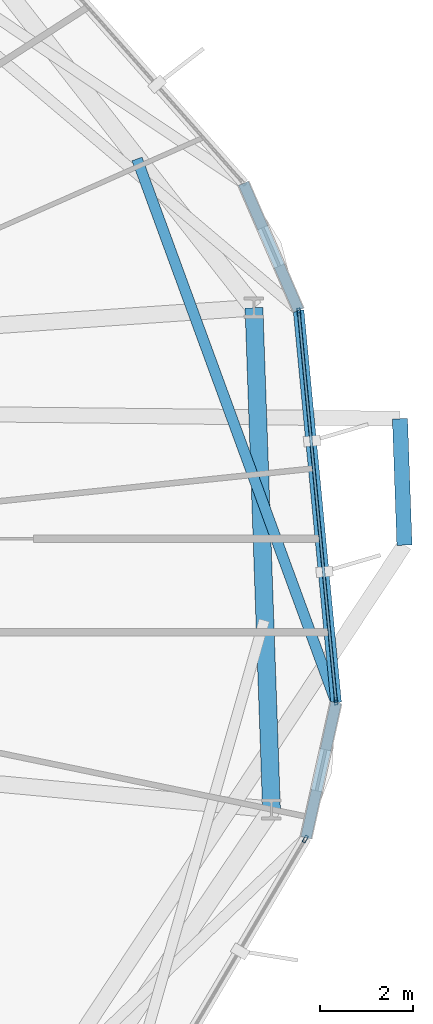
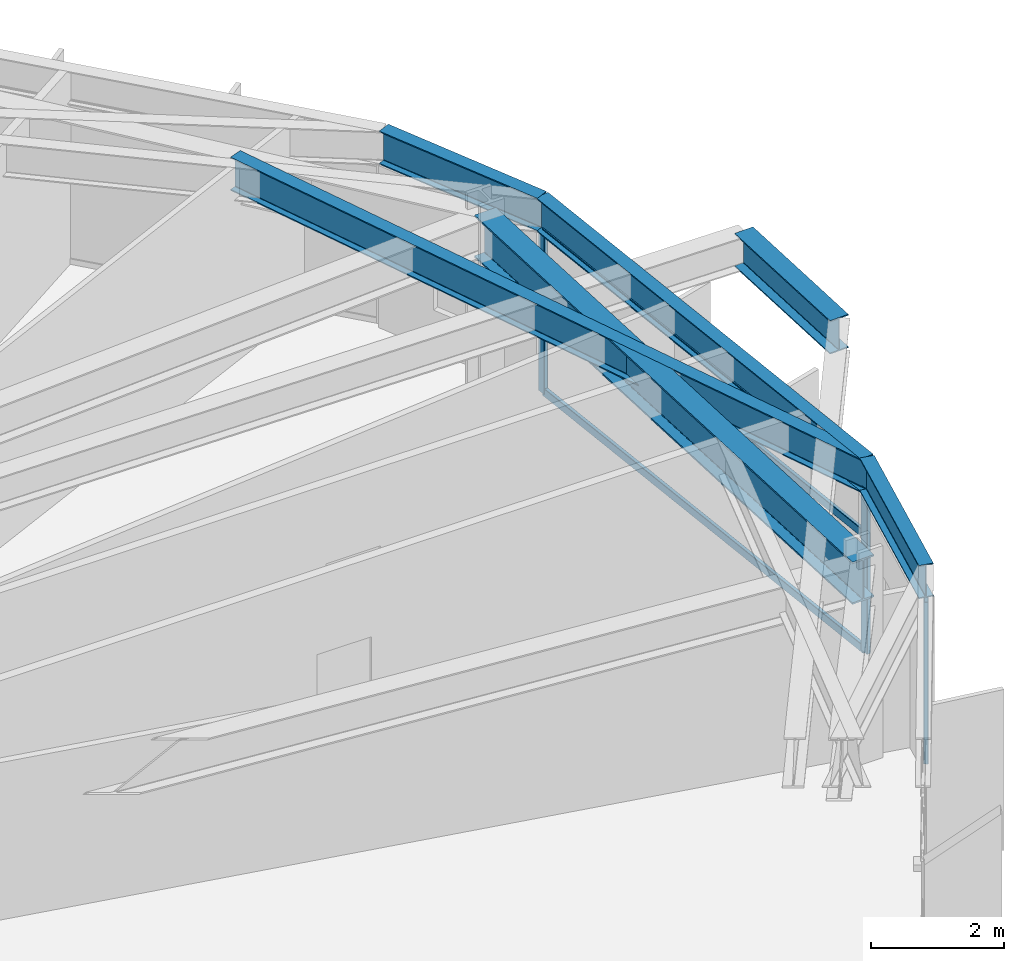
# One storey, part 12 of 23: 6 beams, 6 members, 2 elements without a shape of their own.
"""IFC4 building model written with IfcOpenShell, lengths in metres."""

from ifc_helpers import new_model, si_unit, direction, frame, origin, origin_2d, place, context, subcontext, project, spatial, hollow_rectangle, i_section, extrude, material, layer, layer_set, material_profile, profile_set, type_object, element, aggregate, save


model = new_model("IFC4")

# Units and contexts
model_context = context("Model", 3, precision=1e-05, world=origin(), true_north=direction((0.0, 1.0)))
body_context = subcontext(model_context, "Body", "Model", "MODEL_VIEW")
ifc_project = project(units=[si_unit("LENGTHUNIT", "METRE"), si_unit("AREAUNIT", "SQUARE_METRE"), si_unit("VOLUMEUNIT", "CUBIC_METRE"), si_unit("PLANEANGLEUNIT", "RADIAN"), si_unit("MASSUNIT", "GRAM", prefix="KILO")], contexts=[model_context])

# Site, building, storey
site_placement = place(None, origin())
site = spatial("IfcSite", under=ifc_project, at=site_placement, CompositionType="ELEMENT")
building_placement = place(site_placement, origin())
building = spatial("IfcBuilding", under=site, at=building_placement, Name="Soratama Intermodal Tower", CompositionType="ELEMENT")
storey_placement = place(building_placement, frame((0.0, 0.0, 118.60009765625)))
storey = spatial("IfcBuildingStorey", under=building, at=storey_placement, Name="L28", CompositionType="ELEMENT", Elevation=118.60009765625)

# Beams
ifc_material_1 = material(Name="Structural steel ASTM A992 Grade 50", Category="steel")
ifc_material_profile_1 = material_profile(ifc_material_1, i_section(OverallWidth=0.324951171875, OverallDepth=0.615966796875, WebThickness=0.013916015625, FlangeThickness=0.021484375, FilletRadius=0.013916015625, at=origin_2d()), Name="W24X117")
ifc_profile_set_1 = profile_set([ifc_material_profile_1], Name="Structural steel ASTM A992 Grade 50")
beam_type_1 = type_object("IfcBeamType", Name="BM-CANT-W24X117", PredefinedType="BEAM", material=ifc_profile_set_1)
beam_1_placement = place(storey_placement, frame((64.574951171875, 25.864013671875, 3.2919921875), z_axis=(-0.035408722991, 0.99937291455, 0.0), x_axis=(-0.99937291455, -0.035408722991, 0.0)))
element("IfcBeam", 1, at=beam_1_placement, inside=storey, type_object=beam_type_1, Name="BM-L28-CBHDR-1", PredefinedType="BEAM", context=body_context, shape_type="SweptSolid", body=[
    extrude(i_section(OverallWidth=0.324951171875, OverallDepth=0.615966796875, WebThickness=0.013916015625, FlangeThickness=0.021484375, FilletRadius=0.013916015625, at=origin_2d()), origin(), (0.0, 0.0, 1.0), 2.709716796875),
])
ifc_material_2 = material(Name="Structural steel ASTM A992 Grade 50", Category="steel")
ifc_material_profile_2 = material_profile(ifc_material_2, i_section(OverallWidth=0.382080078125, OverallDepth=0.779052734375, WebThickness=0.01806640625, FlangeThickness=0.030029296875, FilletRadius=0.01806640625, at=origin_2d()), Name="W30X191")
ifc_profile_set_2 = profile_set([ifc_material_profile_2], Name="Structural steel ASTM A992 Grade 50")
beam_type_2 = type_object("IfcBeamType", Name="BM-RING-W30X191", PredefinedType="BEAM", material=ifc_profile_set_2)
beam_2_placement = place(storey_placement, frame((61.72607421875, 20.2041015625, 3.21044921875), z_axis=(-0.034872799059, 0.999391758964, 0.0), x_axis=(-0.999391758964, -0.034872799059, 0.0)))
element("IfcBeam", 2, at=beam_2_placement, inside=storey, type_object=beam_type_2, Name="BM-L28-RING-10", PredefinedType="BEAM", context=body_context, shape_type="SweptSolid", body=[
    extrude(i_section(OverallWidth=0.382080078125, OverallDepth=0.779052734375, WebThickness=0.01806640625, FlangeThickness=0.030029296875, FilletRadius=0.01806640625, at=origin_2d()), origin(), (0.0, 0.0, 1.0), 10.75341796875),
])
ifc_material_3 = material(Name="Structural steel ASTM A992 Grade 50", Category="steel")
ifc_material_profile_3 = material_profile(ifc_material_3, i_section(OverallWidth=0.22900390625, OverallDepth=0.612060546875, WebThickness=0.011962890625, FlangeThickness=0.01953125, FilletRadius=0.012939453125, at=origin_2d()), Name="W24X84")
ifc_profile_set_3 = profile_set([ifc_material_profile_3], Name="Structural steel ASTM A992 Grade 50")
beam_type_3 = type_object("IfcBeamType", Name="BM-SPN-W24X84", PredefinedType="SPANDREL", material=ifc_profile_set_3)
beam_3_placement = place(storey_placement, frame((62.467041015625, 19.594970703125, 3.2939453125), z_axis=(0.217087294611, 0.976152194342, 0.0), x_axis=(-0.976152194342, 0.217087294611, 0.0)))
element("IfcBeam", 3, at=beam_3_placement, inside=storey, type_object=beam_type_3, Name="BS-L28-CRN09", PredefinedType="SPANDREL", context=body_context, shape_type="SweptSolid", body=[
    extrude(i_section(OverallWidth=0.22900390625, OverallDepth=0.612060546875, WebThickness=0.011962890625, FlangeThickness=0.01953125, FilletRadius=0.012939453125, at=origin_2d()), origin(), (0.0, 0.0, 1.0), 2.966796875),
])
beam_4_placement = place(storey_placement, frame((63.111083984375, 22.490966796875, 3.2939453125), z_axis=(-0.095267668262, 0.99545169214, 0.0), x_axis=(-0.99545169214, -0.095267668262, 0.0)))
element("IfcBeam", 4, at=beam_4_placement, inside=storey, type_object=beam_type_3, Name="BS-L28-F10", PredefinedType="SPANDREL", context=body_context, shape_type="SweptSolid", body=[
    extrude(i_section(OverallWidth=0.22900390625, OverallDepth=0.612060546875, WebThickness=0.011962890625, FlangeThickness=0.01953125, FilletRadius=0.012939453125, at=origin_2d()), origin(), (0.0, 0.0, 1.0), 8.44140625),
])
beam_5_placement = place(storey_placement, frame((62.306884765625, 30.89404296875, 3.2939453125), z_axis=(-0.397849992802, 0.917450479987, 0.0), x_axis=(-0.917450479987, -0.397849992802, 0.0)))
element("IfcBeam", 5, at=beam_5_placement, inside=storey, type_object=beam_type_3, Name="BS-L28-CRN10", PredefinedType="SPANDREL", context=body_context, shape_type="SweptSolid", body=[
    extrude(i_section(OverallWidth=0.22900390625, OverallDepth=0.612060546875, WebThickness=0.011962890625, FlangeThickness=0.01953125, FilletRadius=0.012939453125, at=origin_2d()), origin(), (0.0, 0.0, 1.0), 2.9658203125),
])
ifc_material_4 = material(Name="Structural steel ASTM A992 Grade 50", Category="steel")
ifc_material_profile_4 = material_profile(ifc_material_4, i_section(OverallWidth=0.22900390625, OverallDepth=0.612060546875, WebThickness=0.011962890625, FlangeThickness=0.01953125, FilletRadius=0.012939453125, at=origin_2d()), Name="W24X84")
ifc_profile_set_4 = profile_set([ifc_material_profile_4], Name="Structural steel ASTM A992 Grade 50")
beam_type_4 = type_object("IfcBeamType", Name="BM-TIE-W24X84", PredefinedType="BEAM", material=ifc_profile_set_4)
beam_6_placement = place(storey_placement, frame((58.845947265625, 34.136962890625, 3.2939453125), z_axis=(0.343894859079, -0.93900816072, 0.0), x_axis=(0.93900816072, 0.343894859079, 0.0)))
element("IfcBeam", 6, at=beam_6_placement, inside=storey, type_object=beam_type_4, Name="BM-L28-TIE0-10", PredefinedType="BEAM", context=body_context, shape_type="SweptSolid", body=[
    extrude(i_section(OverallWidth=0.22900390625, OverallDepth=0.612060546875, WebThickness=0.011962890625, FlangeThickness=0.01953125, FilletRadius=0.012939453125, at=origin_2d()), origin(), (0.0, 0.0, 1.0), 12.40234375),
])

# Curtain wall, member
ifc_material_5 = material(Name="Double-glazed aluminium curtain wall", Category="aluminium")
ifc_layer = layer(ifc_material_5, 0.159912109375)
ifc_layer_set = layer_set([ifc_layer], Name="Double-glazed aluminium curtain wall")
curtain_wall_type = type_object("IfcCurtainWallType", Name="CW-SYS-3", PredefinedType="NOTDEFINED", material=ifc_layer_set)
curtain_wall_1_placement = place(storey_placement, origin())
curtain_wall_1 = element("IfcCurtainWall", 7, at=curtain_wall_1_placement, inside=storey, type_object=curtain_wall_type, Name="L28 Faceted Curtain Wall F09", PredefinedType="NOTDEFINED")
ifc_material_6 = material(Name="Anodised aluminium AA 6063-T6", Category="aluminium")
ifc_material_profile_5 = material_profile(ifc_material_6, hollow_rectangle(XDim=0.070068359375, YDim=0.159912109375, WallThickness=0.0048828125, InnerFilletRadius=0.0048828125, OuterFilletRadius=0.010009765625, at=origin_2d()), Name="CWM160X70X5")
ifc_profile_set_5 = profile_set([ifc_material_profile_5], Name="Anodised aluminium AA 6063-T6")
member_type_1 = type_object("IfcMemberType", Name="MT-CWM-3", PredefinedType="MULLION", material=ifc_profile_set_5)
member_1_placement = place(storey_placement, frame((62.451416015625, 19.569580078125, 0.0), z_axis=(0.0, 0.0, 1.0), x_axis=(-0.861270190831, 0.508147280212, 0.0)))
member_1 = element("IfcMember", 8, at=member_1_placement, type_object=member_type_1, Name="CW-3 mullion 2", PredefinedType="MULLION", context=body_context, shape_type="SweptSolid", body=[
    extrude(hollow_rectangle(XDim=0.070068359375, YDim=0.159912109375, WallThickness=0.0048828125, InnerFilletRadius=0.0048828125, OuterFilletRadius=0.010009765625, at=origin_2d()), origin(), (0.0, 0.0, 1.0), 2.97900390625),
])
aggregate(curtain_wall_1, [member_1])

# Curtain wall, members
curtain_wall_2_placement = place(storey_placement, origin())
curtain_wall_2 = element("IfcCurtainWall", 9, at=curtain_wall_2_placement, inside=storey, type_object=curtain_wall_type, Name="L28 Faceted Curtain Wall F10", PredefinedType="NOTDEFINED")
member_2_placement = place(storey_placement, frame((63.10791015625, 22.52099609375, 0.0), z_axis=(0.0, 0.0, 1.0), x_axis=(-0.995462829223, -0.095151225082, 0.0)))
member_2 = element("IfcMember", 10, at=member_2_placement, type_object=member_type_1, Name="CW-3 mullion 1", PredefinedType="MULLION", context=body_context, shape_type="SweptSolid", body=[
    extrude(hollow_rectangle(XDim=0.070068359375, YDim=0.159912109375, WallThickness=0.0048828125, InnerFilletRadius=0.0048828125, OuterFilletRadius=0.010009765625, at=origin_2d()), origin(), (0.0, 0.0, 1.0), 2.97900390625),
])
member_3_placement = place(storey_placement, frame((62.310302734375, 30.8642578125, 0.0), z_axis=(0.0, 0.0, 1.0), x_axis=(-0.995462829223, -0.095151225082, 0.0)))
member_3 = element("IfcMember", 11, at=member_3_placement, type_object=member_type_1, Name="CW-3 mullion 2", PredefinedType="MULLION", context=body_context, shape_type="SweptSolid", body=[
    extrude(hollow_rectangle(XDim=0.070068359375, YDim=0.159912109375, WallThickness=0.0048828125, InnerFilletRadius=0.0048828125, OuterFilletRadius=0.010009765625, at=origin_2d()), origin(), (0.0, 0.0, 1.0), 2.97900390625),
])
ifc_material_7 = material(Name="Anodised aluminium AA 6063-T6", Category="aluminium")
ifc_material_profile_6 = material_profile(ifc_material_7, hollow_rectangle(XDim=0.06494140625, YDim=0.14990234375, WallThickness=0.0048828125, InnerFilletRadius=0.0048828125, OuterFilletRadius=0.010009765625, at=origin_2d()), Name="CWT150X65X5")
ifc_profile_set_6 = profile_set([ifc_material_profile_6], Name="Anodised aluminium AA 6063-T6")
member_type_2 = type_object("IfcMemberType", Name="TT-CWT-1", PredefinedType="USERDEFINED", material=ifc_profile_set_6)
member_4_placement = place(storey_placement, frame((63.10498046875, 22.551025390625, 0.02978515625), z_axis=(-0.095148305584, 0.995463108279, 0.0), x_axis=(-0.995463108279, -0.095148305584, 0.0)))
member_4 = element("IfcMember", 12, at=member_4_placement, type_object=member_type_2, Name="CW-3 transom 1.1", ObjectType="TRANSOM", PredefinedType="USERDEFINED", context=body_context, shape_type="SweptSolid", body=[
    extrude(hollow_rectangle(XDim=0.06494140625, YDim=0.14990234375, WallThickness=0.0048828125, InnerFilletRadius=0.0048828125, OuterFilletRadius=0.010009765625, at=origin_2d()), origin(), (0.0, 0.0, 1.0), 8.3212890625),
])
member_5_placement = place(storey_placement, frame((63.10498046875, 22.551025390625, 2.14990234375), z_axis=(-0.095148305584, 0.995463108279, 0.0), x_axis=(-0.995463108279, -0.095148305584, 0.0)))
member_5 = element("IfcMember", 13, at=member_5_placement, type_object=member_type_2, Name="CW-3 transom 1.2", ObjectType="TRANSOM", PredefinedType="USERDEFINED", context=body_context, shape_type="SweptSolid", body=[
    extrude(hollow_rectangle(XDim=0.06494140625, YDim=0.14990234375, WallThickness=0.0048828125, InnerFilletRadius=0.0048828125, OuterFilletRadius=0.010009765625, at=origin_2d()), origin(), (0.0, 0.0, 1.0), 8.3212890625),
])
member_6_placement = place(storey_placement, frame((63.10498046875, 22.551025390625, 2.948974609375), z_axis=(-0.095148305584, 0.995463108279, 0.0), x_axis=(-0.995463108279, -0.095148305584, 0.0)))
member_6 = element("IfcMember", 14, at=member_6_placement, type_object=member_type_2, Name="CW-3 transom 1.3", ObjectType="TRANSOM", PredefinedType="USERDEFINED", context=body_context, shape_type="SweptSolid", body=[
    extrude(hollow_rectangle(XDim=0.06494140625, YDim=0.14990234375, WallThickness=0.0048828125, InnerFilletRadius=0.0048828125, OuterFilletRadius=0.010009765625, at=origin_2d()), origin(), (0.0, 0.0, 1.0), 8.3212890625),
])
aggregate(curtain_wall_2, [member_2, member_3, member_4, member_5, member_6])

save(model, "model.ifc")
